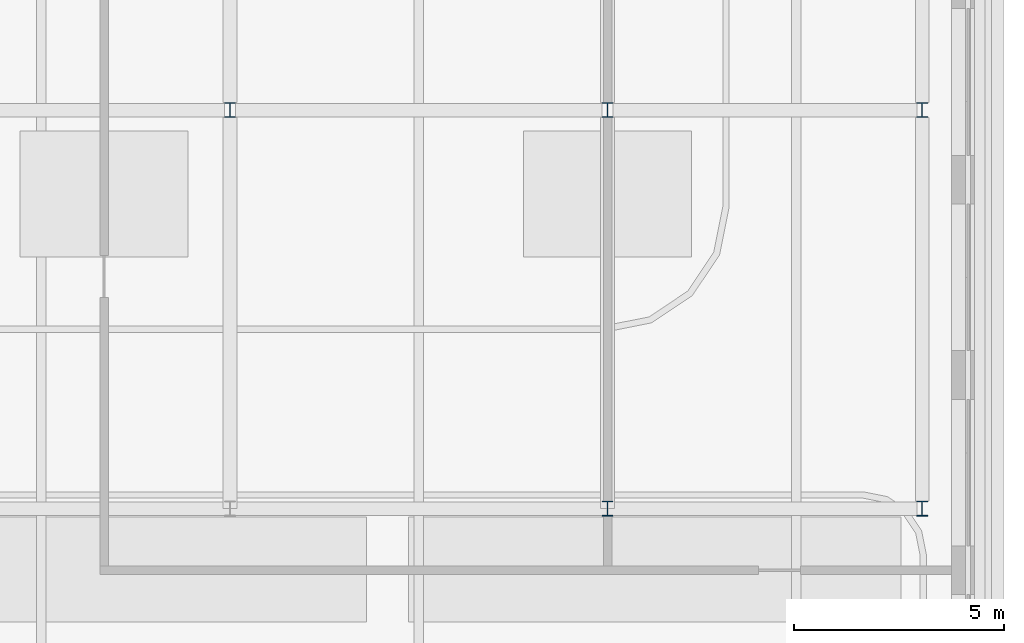
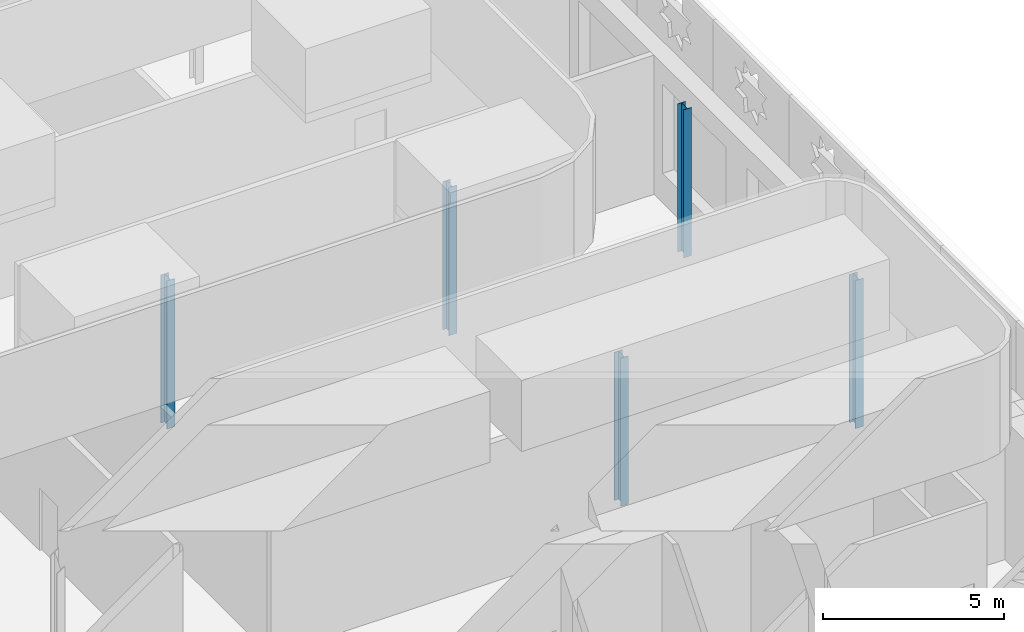
# One storey, part 2 of 14: 5 columns.
"""IFC4 building model written with IfcOpenShell, lengths in metres."""

from ifc_helpers import new_model, si_unit, direction, frame, origin, origin_2d, place, context, subcontext, project, spatial, i_section, extrude, material, material_profile, profile_set, type_object, element, save


model = new_model("IFC4")

# Units and contexts
model_context = context("Model", 3, precision=1e-05, world=origin(), true_north=direction((0.0, 1.0)))
body_context = subcontext(model_context, "Body", "Model", "MODEL_VIEW")
ifc_project = project(units=[si_unit("LENGTHUNIT", "METRE"), si_unit("AREAUNIT", "SQUARE_METRE"), si_unit("VOLUMEUNIT", "CUBIC_METRE"), si_unit("PLANEANGLEUNIT", "RADIAN"), si_unit("MASSUNIT", "GRAM", prefix="KILO")], contexts=[model_context])

# Site, building, storey
site_placement = place(None, origin())
site = spatial("IfcSite", under=ifc_project, at=site_placement, CompositionType="ELEMENT")
building_placement = place(site_placement, origin())
building = spatial("IfcBuilding", under=site, at=building_placement, Name="Zellij Exchange Tower", CompositionType="ELEMENT")
storey_placement = place(building_placement, frame((0.0, 0.0, 305.5)))
storey = spatial("IfcBuildingStorey", under=building, at=storey_placement, Name="L71", CompositionType="ELEMENT", Elevation=305.5)

# Columns
ifc_material = material(Name="Structural steel ASTM A992 Gr 50", Category="steel")
ifc_material_profile = material_profile(ifc_material, i_section(OverallWidth=0.25390625, OverallDepth=0.35302734375, WebThickness=0.009521484375, FlangeThickness=0.016357421875, at=origin_2d()), Name="W14x61")
ifc_profile_set = profile_set([ifc_material_profile], Name="Structural steel ASTM A992 Gr 50")
column_type = type_object("IfcColumnType", Name="STR-COLUMN W14x61", PredefinedType="COLUMN", material=ifc_profile_set)
for number, where, z_axis, x_axis, name in (
    (1, (18.0, 4.5, 0.0), (0.0, 0.0, 1.0), (1.0, 0.0, 0.0), "C6"),
    (2, (25.5, 4.5, 0.0), (0.0, 0.0, 1.0), (1.0, 0.0, 0.0), "C6"),
    (3, (9.0, 14.0, 0.0), (0.0, 0.0, 1.0), (1.0, 0.0, 0.0), "C6"),
    (4, (18.0, 14.0, 0.0), (0.0, 0.0, 1.0), (1.0, 0.0, 0.0), "C6"),
    (5, (25.5, 14.0, 0.0), (0.0, 0.0, 1.0), (1.0, 0.0, 0.0), "C6"),
):
    element("IfcColumn", number, at=place(storey_placement, frame(where, z_axis=z_axis, x_axis=x_axis)), inside=storey, type_object=column_type, Name=name, PredefinedType="COLUMN", context=body_context, shape_type="SweptSolid", body=[
        extrude(i_section(OverallWidth=0.25390625, OverallDepth=0.35302734375, WebThickness=0.009521484375, FlangeThickness=0.016357421875, at=origin_2d()), origin(), (0.0, 0.0, 1.0), 5.0),
    ])

save(model, "model.ifc")
